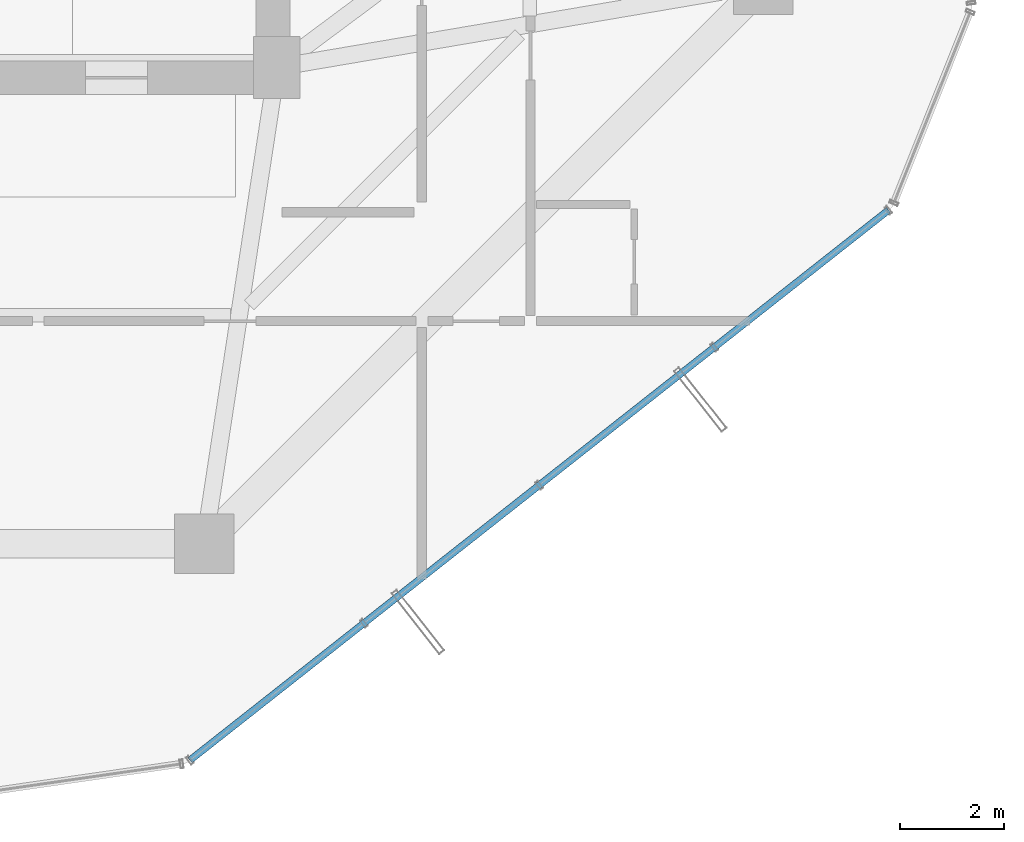
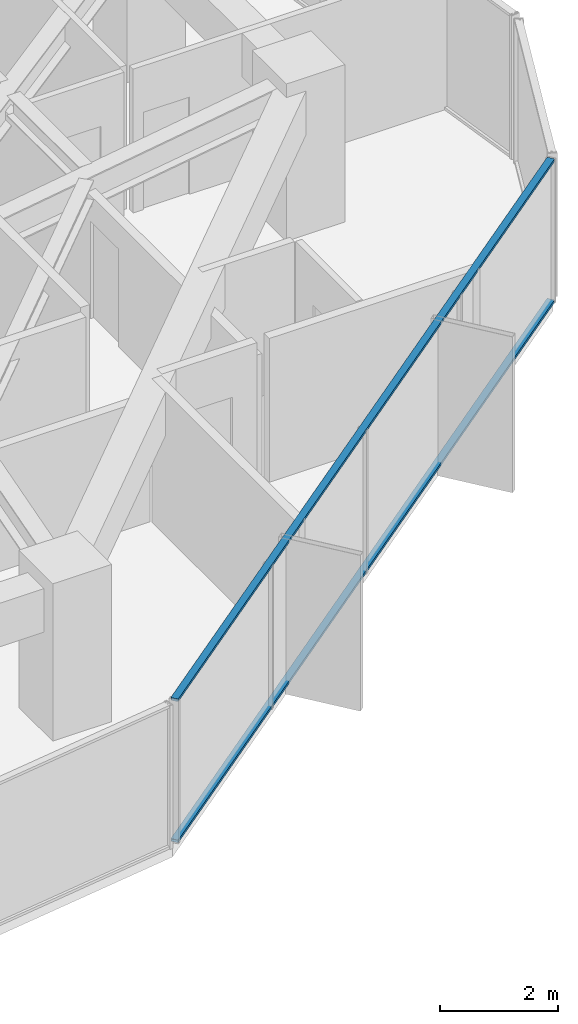
# One storey, part 15 of 34: 2 members, 1 element without a shape of its own.
"""IFC4 building model written with IfcOpenShell, lengths in metres."""

from ifc_helpers import new_model, si_unit, direction, frame, origin, origin_2d, place, context, subcontext, project, spatial, hollow_rectangle, extrude, source, transform, mapped, material, layer, layer_set, material_profile, profile_set, type_object, element, aggregate, save


model = new_model("IFC4")

# Units and contexts
model_context = context("Model", 3, precision=1e-05, world=origin(), true_north=direction((0.0, 1.0)))
body_context = subcontext(model_context, "Body", "Model", "MODEL_VIEW")
ifc_project = project(units=[si_unit("LENGTHUNIT", "METRE"), si_unit("AREAUNIT", "SQUARE_METRE"), si_unit("VOLUMEUNIT", "CUBIC_METRE"), si_unit("PLANEANGLEUNIT", "RADIAN"), si_unit("MASSUNIT", "GRAM", prefix="KILO")], contexts=[model_context])

# Site, building, storey
site_placement = place(None, origin())
site = spatial("IfcSite", under=ifc_project, at=site_placement, CompositionType="ELEMENT")
building_placement = place(site_placement, origin())
building = spatial("IfcBuilding", under=site, at=building_placement, Name="Veraguas Prism Commons", CompositionType="ELEMENT")
storey_placement = place(building_placement, frame((0.0, 0.0, 155.5)))
storey = spatial("IfcBuildingStorey", under=building, at=storey_placement, Name="L44", CompositionType="ELEMENT", Elevation=155.5)

# Curtain wall, members
ifc_material = material(Name="Anodised aluminium EN AW-6063 T6", Category="aluminium")
ifc_layer = layer(ifc_material, 0.169921875, Name="Unitised Flush Curtain Wall Zone 2", Category="aluminium")
ifc_layer_set = layer_set([ifc_layer], Name="Anodised aluminium EN AW-6063 T6")
curtain_wall_type = type_object("IfcCurtainWallType", Name="Unitised Flush Curtain Wall Zone 2", PredefinedType="NOTDEFINED", material=ifc_layer_set)
curtain_wall_placement = place(storey_placement, origin())
curtain_wall = element("IfcCurtainWall", 1, at=curtain_wall_placement, inside=storey, type_object=curtain_wall_type, Name="Tower Facade Curtain Wall L44-F5", PredefinedType="NOTDEFINED")
ifc_material_profile = material_profile(ifc_material, hollow_rectangle(XDim=0.054931640625, YDim=0.135009765625, WallThickness=0.0029296875, at=origin_2d()), Name="AL55X135X3")
ifc_profile_set = profile_set([ifc_material_profile], Name="Anodised aluminium EN AW-6063 T6")
member_type = type_object("IfcMemberType", Name="Curtain Wall Transom Standard AL 55x135x3", PredefinedType="USERDEFINED", material=ifc_profile_set)
shared_shape = source(origin(), body_context, "Body", "SweptSolid", [
    extrude(hollow_rectangle(XDim=0.054931640625, YDim=0.135009765625, WallThickness=0.0029296875, at=origin_2d()), origin(), (0.0, 0.0, 1.0), 17.17431640625),
])
member_1_placement = place(storey_placement, frame((29.121337890625, 3.61669921875, 0.027587890625), z_axis=(0.785641583212, 0.618681907549, 0.0), x_axis=(0.0, 0.0, 1.0)))
member_1 = element("IfcMember", 2, at=member_1_placement, type_object=member_type, Name="CW-Z2 Transom 1", ObjectType="TRANSOM", PredefinedType="USERDEFINED", context=body_context, shape_type="MappedRepresentation", body=[
    mapped(shared_shape, transform((0.0, 0.0, 0.0), scale=1.0)),
])
member_2_placement = place(storey_placement, frame((29.121337890625, 3.61669921875, 2.9423828125), z_axis=(0.785641583212, 0.618681907549, 0.0), x_axis=(0.0, 0.0, 1.0)))
member_2 = element("IfcMember", 3, at=member_2_placement, type_object=member_type, Name="CW-Z2 Transom 2", ObjectType="TRANSOM", PredefinedType="USERDEFINED", context=body_context, shape_type="MappedRepresentation", body=[
    mapped(shared_shape, transform((0.0, 0.0, 0.0), scale=1.0)),
])
aggregate(curtain_wall, [member_1, member_2])

save(model, "model.ifc")
